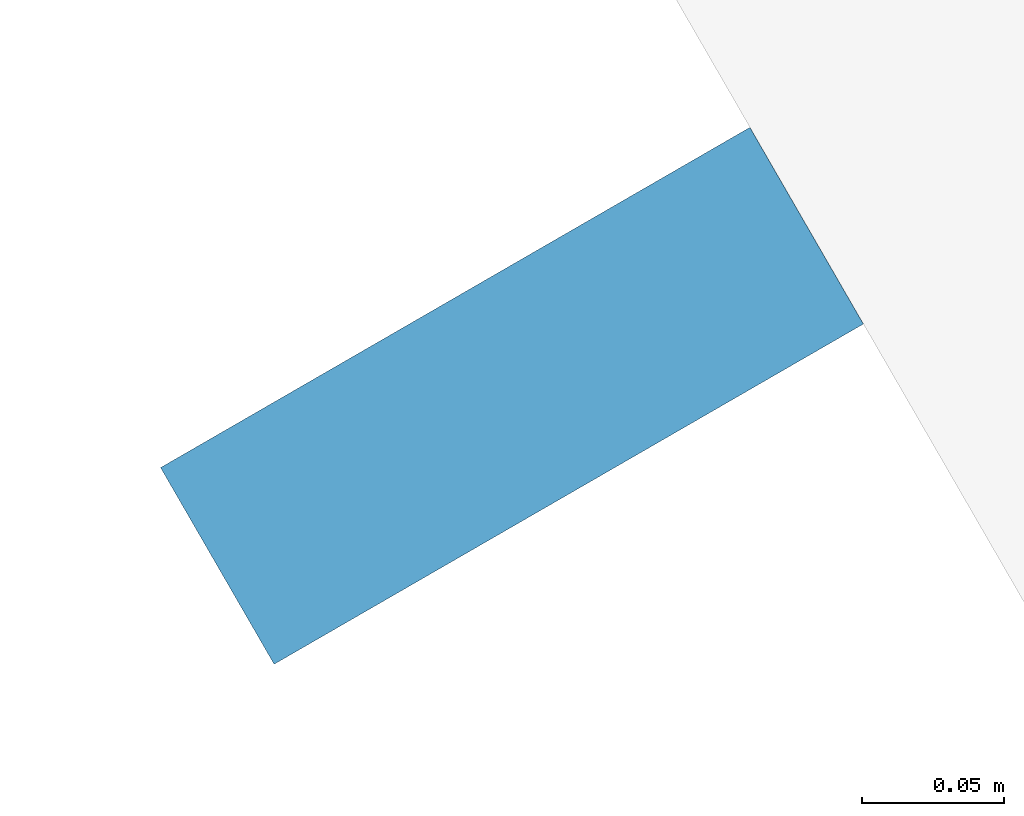
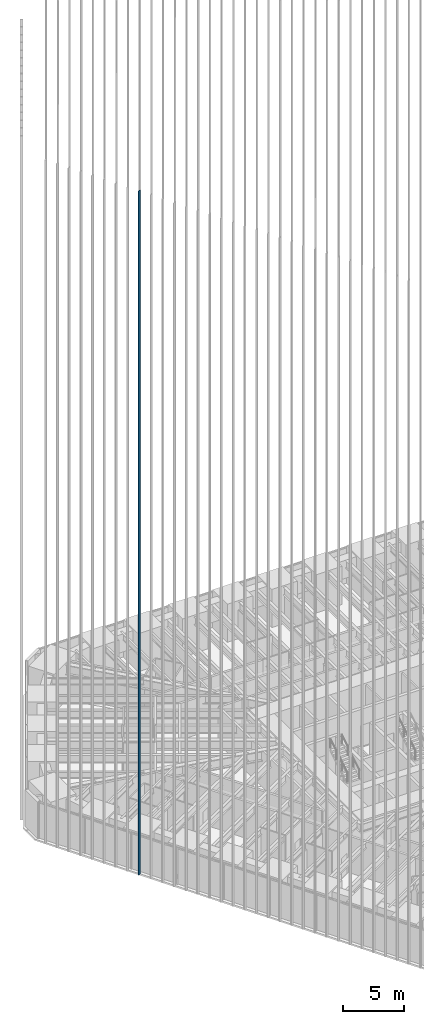
# One storey, part 59 of 256: 1 member, 1 element without a shape of its own.
"""IFC4 building model written with IfcOpenShell, lengths in metres."""

from ifc_helpers import new_model, si_unit, direction, frame, origin, origin_2d, place, context, subcontext, project, spatial, rectangle, extrude, material, material_profile, profile_set, type_object, element, aggregate, save


model = new_model("IFC4")

# Units and contexts
model_context = context("Model", 3, precision=1e-05, world=origin(), true_north=direction((0.0, 1.0)))
body_context = subcontext(model_context, "Body", "Model", "MODEL_VIEW")
ifc_project = project(units=[si_unit("LENGTHUNIT", "METRE"), si_unit("AREAUNIT", "SQUARE_METRE"), si_unit("VOLUMEUNIT", "CUBIC_METRE"), si_unit("PLANEANGLEUNIT", "RADIAN"), si_unit("MASSUNIT", "GRAM", prefix="KILO")], contexts=[model_context])

# Site, building, storey
site_placement = place(None, origin())
site = spatial("IfcSite", under=ifc_project, at=site_placement, CompositionType="ELEMENT")
building_placement = place(site_placement, origin())
building = spatial("IfcBuilding", under=site, at=building_placement, Name="Sandreach Pilgrim Tower", CompositionType="ELEMENT")
storey_placement = place(building_placement, frame((0.0, 0.0, 23.0)))
storey = spatial("IfcBuildingStorey", under=building, at=storey_placement, Name="L04", CompositionType="ELEMENT", Elevation=23.0)

# Curtain wall, member
ifc_material_1 = material(Name="Aluminium framed curtain wall", Category="aluminium")
curtain_wall_type = type_object("IfcCurtainWallType", Name="Hostel tower curtain wall", PredefinedType="NOTDEFINED", material=ifc_material_1)
curtain_wall_placement = place(storey_placement, origin())
curtain_wall = element("IfcCurtainWall", 1, at=curtain_wall_placement, inside=storey, type_object=curtain_wall_type, Name="CW-1 L04 SW", PredefinedType="NOTDEFINED")
ifc_material_2 = material(Name="Extruded terracotta on aluminium core", Category="masonry")
ifc_material_profile = material_profile(ifc_material_2, rectangle(XDim=0.080078125, YDim=0.239990234375, at=origin_2d()), Name="TBW 80X240")
ifc_profile_set = profile_set([ifc_material_profile], Name="Extruded terracotta on aluminium core")
member_type = type_object("IfcMemberType", Name="Terracotta baguette west", PredefinedType="USERDEFINED", material=ifc_profile_set)
member_placement = place(storey_placement, frame((-26.08251953125, -3.56103515625, 0.0), z_axis=(0.0, 0.0, 1.0), x_axis=(-0.5, 0.866025403784, 0.0)))
member = element("IfcMember", 2, at=member_placement, type_object=member_type, Name="Baguette Z1 SW27", ObjectType="BAGUETTE", PredefinedType="USERDEFINED", context=body_context, shape_type="SweptSolid", body=[
    extrude(rectangle(XDim=0.080078125, YDim=0.239990234375, at=origin_2d()), origin(), (0.0, 0.0, 1.0), 68.239990234375),
])
aggregate(curtain_wall, [member])

save(model, "model.ifc")
